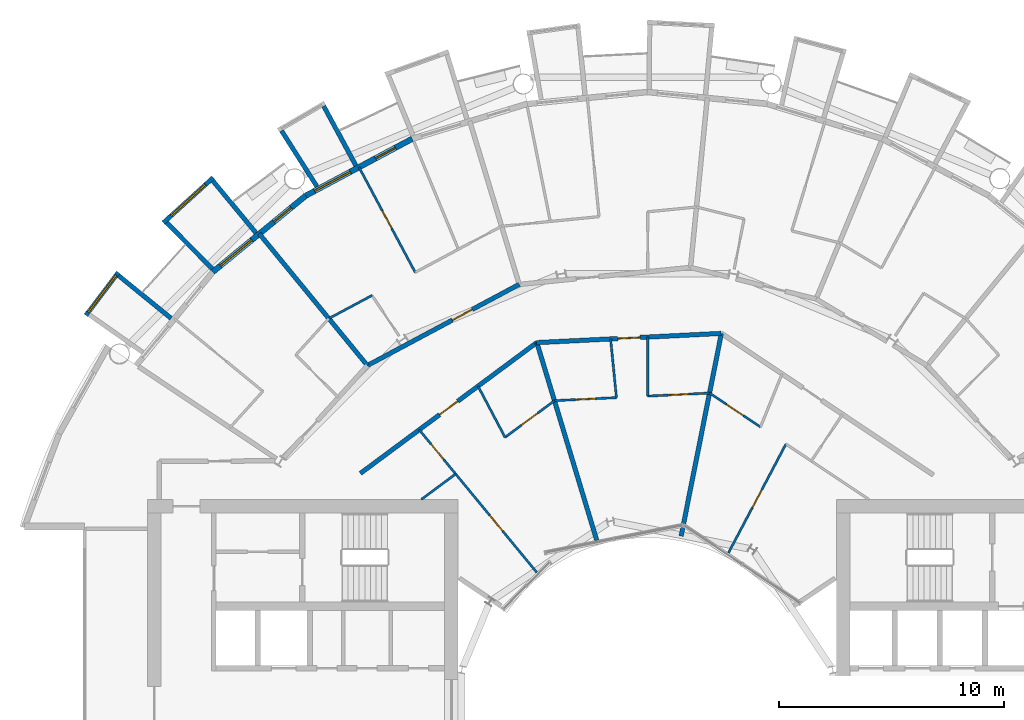
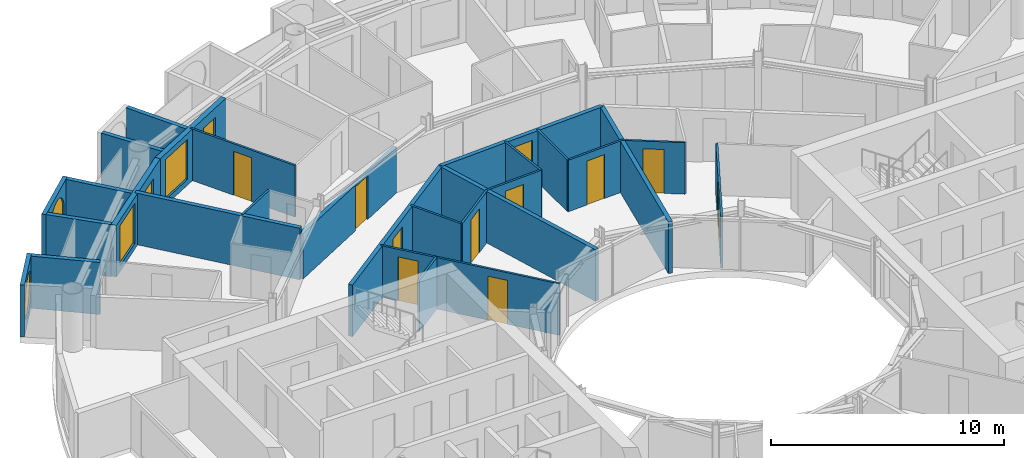
# One storey, part 20 of 27: 27 walls, 13 doors, 4 windows, 17 openings.
"""IFC4 building model written with IfcOpenShell, lengths in metres."""

from ifc_helpers import new_model, si_unit, direction, frame, frame_2d, origin, place, context, subcontext, project, spatial, rectangle, circle, extrude, material, layer, layer_set, type_object, element, fill, save


model = new_model("IFC4")

# Units and contexts
model_context = context("Model", 3, precision=1e-05, world=origin(), true_north=direction((0.0, 1.0)))
body_context = subcontext(model_context, "Body", "Model", "MODEL_VIEW")
ifc_project = project(units=[si_unit("LENGTHUNIT", "METRE"), si_unit("AREAUNIT", "SQUARE_METRE"), si_unit("VOLUMEUNIT", "CUBIC_METRE"), si_unit("PLANEANGLEUNIT", "RADIAN"), si_unit("MASSUNIT", "GRAM", prefix="KILO")], contexts=[model_context])

# Site, building, storey
site_placement = place(None, origin())
site = spatial("IfcSite", under=ifc_project, at=site_placement, CompositionType="ELEMENT")
building_placement = place(site_placement, origin())
building = spatial("IfcBuilding", under=site, at=building_placement, Name="Maasbend Ring Residences", CompositionType="ELEMENT")
storey_placement = place(building_placement, frame((0.0, 0.0, 126.89990234375)))
storey = spatial("IfcBuildingStorey", under=building, at=storey_placement, Name="L36", CompositionType="ELEMENT", Elevation=126.89990234375)

# Wall, opening, door
ifc_material_1 = material(Name="Concrete C30/37", Category="concrete")
ifc_layer_1 = layer(ifc_material_1, 0.199951171875)
ifc_layer_set_1 = layer_set([ifc_layer_1], Name="Concrete C30/37")
wall_type_1 = type_object("IfcWallType", Name="CORRIDOR WALL 200 CONCRETE", PredefinedType="PARTITIONING", material=ifc_layer_set_1)
wall_1_placement = place(storey_placement, frame((-12.7451171875, 10.35791015625, 0.0), z_axis=(0.0, 0.0, 1.0), x_axis=(0.803191461888, 0.595720971219, 0.0)))
wall_1 = element("IfcWall", 1, at=wall_1_placement, inside=storey, type_object=wall_type_1, Name="U-L36-w107", PredefinedType="PARTITIONING", context=body_context, shape_type="SweptSolid", body=[
    extrude(rectangle(XDim=9.760009765625, YDim=0.199951171875, at=frame_2d((4.8798828125, 0.0))), origin(), (0.0, 0.0, 1.0), 2.7001953125),
])
opening_1_placement = place(wall_1_placement, frame((4.3798828125, 0.0, 0.0)))
opening_1 = element("IfcOpeningElement", 2, at=opening_1_placement, cuts=wall_1, Name="Opening D-3628", PredefinedType="OPENING", context=body_context, shape_type="SweptSolid", body=[
    extrude(rectangle(XDim=1.0, YDim=2.300048828125, at=frame_2d((0.5, 1.14990234375))), frame((0.0, 0.10986328125, 0.0), z_axis=(0.0, -1.0, 0.0), x_axis=(1.0, 0.0, 0.0)), (0.0, 0.0, 1.0), 0.219970703125),
])
ifc_material_2 = material(Name="Timber, fire-rated, painted", Category="wood")
door_type_1 = type_object("IfcDoorType", Name="FLAT ENTRANCE DOOR 1000 X 2300 FIRE-RATED", OperationType="NOTDEFINED", PredefinedType="DOOR", material=ifc_material_2)
door_1_placement = place(opening_1_placement, origin())
door_1 = element("IfcDoor", 3, at=door_1_placement, inside=storey, type_object=door_type_1, Name="D-3628", OperationType="SINGLE_SWING_RIGHT", OverallHeight=2.300048828125, OverallWidth=1.0, PredefinedType="DOOR", context=body_context, shape_type="SweptSolid", body=[
    extrude(rectangle(XDim=1.0, YDim=2.300048828125, at=frame_2d((0.5, 1.14990234375))), frame((0.0, 0.02490234375, 0.0), z_axis=(0.0, -1.0, 0.0), x_axis=(1.0, 0.0, 0.0)), (0.0, 0.0, 1.0), 0.050048828125),
])
fill(opening_1, door_1)

wall_2_placement = place(storey_placement, frame((-4.9208984375, 16.1669921875, 0.0), z_axis=(0.0, 0.0, 1.0), x_axis=(0.998754043059, 0.049903521659, 0.0)))
wall_2 = element("IfcWall", 4, at=wall_2_placement, inside=storey, type_object=wall_type_1, Name="U-L36-w108", PredefinedType="PARTITIONING", context=body_context, shape_type="SweptSolid", body=[
    extrude(rectangle(XDim=8.214111328125, YDim=0.199951171875, at=frame_2d((4.10693359375, 0.0))), origin(), (0.0, 0.0, 1.0), 2.7001953125),
])
opening_2_placement = place(wall_2_placement, frame((3.614013671875, 0.0, 0.0)))
opening_2 = element("IfcOpeningElement", 5, at=opening_2_placement, cuts=wall_2, Name="Opening D-3625", PredefinedType="OPENING", context=body_context, shape_type="SweptSolid", body=[
    extrude(rectangle(XDim=1.0, YDim=2.300048828125, at=frame_2d((0.5, 1.14990234375))), frame((0.0, 0.10986328125, 0.0), z_axis=(0.0, -1.0, 0.0), x_axis=(1.0, 0.0, 0.0)), (0.0, 0.0, 1.0), 0.219970703125),
])
door_2_placement = place(opening_2_placement, origin())
door_2 = element("IfcDoor", 6, at=door_2_placement, inside=storey, type_object=door_type_1, Name="D-3625", OperationType="SINGLE_SWING_RIGHT", OverallHeight=2.300048828125, OverallWidth=1.0, PredefinedType="DOOR", context=body_context, shape_type="SweptSolid", body=[
    extrude(rectangle(XDim=1.0, YDim=2.300048828125, at=frame_2d((0.5, 1.14990234375))), frame((0.0, 0.02490234375, 0.0), z_axis=(0.0, -1.0, 0.0), x_axis=(1.0, 0.0, 0.0)), (0.0, 0.0, 1.0), 0.050048828125),
])
fill(opening_2, door_2)

wall_3_placement = place(storey_placement, frame((-12.43408203125, 15.15087890625, 0.0), z_axis=(0.0, 0.0, 1.0), x_axis=(0.8819312112, 0.471378127104, 0.0)))
wall_3 = element("IfcWall", 7, at=wall_3_placement, inside=storey, type_object=wall_type_1, Name="U-L36-w109", PredefinedType="PARTITIONING", context=body_context, shape_type="SweptSolid", body=[
    extrude(rectangle(XDim=7.650390625, YDim=0.199951171875, at=frame_2d((3.8251953125, 0.0))), origin(), (0.0, 0.0, 1.0), 2.39013671875),
])
opening_3_placement = place(wall_3_placement, frame((4.279052734375, 0.0, 0.0)))
opening_3 = element("IfcOpeningElement", 8, at=opening_3_placement, cuts=wall_3, Name="Opening D-3614", PredefinedType="OPENING", context=body_context, shape_type="SweptSolid", body=[
    extrude(rectangle(XDim=1.0, YDim=2.300048828125, at=frame_2d((0.5, 1.14990234375))), frame((0.0, 0.10986328125, 0.0), z_axis=(0.0, -1.0, 0.0), x_axis=(1.0, 0.0, 0.0)), (0.0, 0.0, 1.0), 0.219970703125),
])
door_3_placement = place(opening_3_placement, origin())
door_3 = element("IfcDoor", 9, at=door_3_placement, inside=storey, type_object=door_type_1, Name="D-3614", OperationType="SINGLE_SWING_RIGHT", OverallHeight=2.300048828125, OverallWidth=1.0, PredefinedType="DOOR", context=body_context, shape_type="SweptSolid", body=[
    extrude(rectangle(XDim=1.0, YDim=2.300048828125, at=frame_2d((0.5, 1.14990234375))), frame((0.0, 0.02490234375, 0.0), z_axis=(0.0, -1.0, 0.0), x_axis=(1.0, 0.0, 0.0)), (0.0, 0.0, 1.0), 0.050048828125),
])
fill(opening_3, door_3)

# Walls
ifc_material_3 = material(Name="Pale anodised aluminium panel", Category="aluminium")
ifc_layer_2 = layer(ifc_material_3, 0.199951171875)
ifc_layer_set_2 = layer_set([ifc_layer_2], Name="EW-BOX")
wall_type_2 = type_object("IfcWallType", Name="EW-BOX", PredefinedType="SOLIDWALL", material=ifc_layer_set_2)
wall_4_placement = place(storey_placement, frame((-12.945068359375, 24.029052734375, -0.02978515625), z_axis=(0.0, 0.0, 1.0), x_axis=(-0.474424310775, 0.88029629861, 0.0)))
element("IfcWall", 10, at=wall_4_placement, inside=storey, type_object=wall_type_2, Name="Box side wall N16 left", PredefinedType="SOLIDWALL", context=body_context, shape_type="SweptSolid", body=[
    extrude(rectangle(XDim=3.005859375, YDim=0.199951171875, at=frame_2d((1.5029296875, 0.0))), origin(), (0.0, 0.0, 1.0), 2.72998046875),
])
wall_5_placement = place(storey_placement, frame((-14.677978515625, 23.10205078125, -0.02978515625), z_axis=(0.0, 0.0, 1.0), x_axis=(-0.536001536573, 0.844217005746, 0.0)))
element("IfcWall", 11, at=wall_5_placement, inside=storey, type_object=wall_type_2, Name="Box side wall N16 right", PredefinedType="SOLIDWALL", context=body_context, shape_type="SweptSolid", body=[
    extrude(rectangle(XDim=2.92919921875, YDim=0.199951171875, at=frame_2d((1.464599609375, 0.0))), origin(), (0.0, 0.0, 1.0), 2.72998046875),
])

# Wall, opening, window
wall_6_placement = place(storey_placement, frame((-19.281982421875, 23.5029296875, -0.02978515625), z_axis=(0.0, 0.0, 1.0), x_axis=(-0.740998365753, -0.671506829416, 0.0)))
wall_6 = element("IfcWall", 12, at=wall_6_placement, inside=storey, type_object=wall_type_2, Name="Box front N18", PredefinedType="SOLIDWALL", context=body_context, shape_type="SweptSolid", body=[
    extrude(rectangle(XDim=2.9931640625, YDim=0.199951171875, at=frame_2d((1.49658203125, 0.0))), origin(), (0.0, 0.0, 1.0), 2.72998046875),
])
opening_4_placement = place(wall_6_placement, frame((0.45654296875, 0.0, 0.330078125)))
opening_4 = element("IfcOpeningElement", 13, at=opening_4_placement, cuts=wall_6, Name="Opening W-RD", PredefinedType="OPENING", context=body_context, shape_type="SweptSolid", body=[
    extrude(circle(Radius=1.0400390625, at=frame_2d((1.0400390625, 1.0400390625))), frame((0.0, 0.10986328125, 0.0), z_axis=(0.0, -1.0, 0.0), x_axis=(1.0, 0.0, 0.0)), (0.0, 0.0, 1.0), 0.219970703125),
])
ifc_material_4 = material(Name="Aluminium and clear glass", Category="aluminium")
window_type_1 = type_object("IfcWindowType", Name="W-RD", PartitioningType="SINGLE_PANEL", PredefinedType="WINDOW", material=ifc_material_4)
window_1_placement = place(opening_4_placement, origin())
window_1 = element("IfcWindow", 14, at=window_1_placement, inside=storey, type_object=window_type_1, Name="Round window N18", OverallHeight=2.080078125, OverallWidth=2.080078125, PartitioningType="SINGLE_PANEL", PredefinedType="WINDOW", context=body_context, shape_type="SweptSolid", body=[
    extrude(circle(Radius=1.0400390625, at=frame_2d((1.0400390625, 1.0400390625))), frame((0.0, 0.030029296875, 0.0), z_axis=(0.0, -1.0, 0.0), x_axis=(1.0, 0.0, 0.0)), (0.0, 0.0, 1.0), 0.06005859375),
])
fill(opening_4, window_1)

# Walls
wall_7_placement = place(storey_placement, frame((-17.384033203125, 21.041015625, -0.02978515625), z_axis=(0.0, 0.0, 1.0), x_axis=(-0.63709551667, 0.770784861449, 0.0)))
element("IfcWall", 15, at=wall_7_placement, inside=storey, type_object=wall_type_2, Name="Box side wall N18 left", PredefinedType="SOLIDWALL", context=body_context, shape_type="SweptSolid", body=[
    extrude(rectangle(XDim=3.005859375, YDim=0.199951171875, at=frame_2d((1.5029296875, 0.0))), origin(), (0.0, 0.0, 1.0), 2.72998046875),
])
wall_8_placement = place(storey_placement, frame((-19.322998046875, 19.449951171875, -0.02978515625), z_axis=(0.0, 0.0, 1.0), x_axis=(-0.704476739375, 0.709727076896, 0.0)))
element("IfcWall", 16, at=wall_8_placement, inside=storey, type_object=wall_type_2, Name="Box side wall N18 right", PredefinedType="SOLIDWALL", context=body_context, shape_type="SweptSolid", body=[
    extrude(rectangle(XDim=2.883056640625, YDim=0.199951171875, at=frame_2d((1.44140625, 0.0))), origin(), (0.0, 0.0, 1.0), 2.72998046875),
])

# Wall, opening, window
wall_9_placement = place(storey_placement, frame((-23.4970703125, 19.2890625, -0.02978515625), z_axis=(0.0, 0.0, 1.0), x_axis=(-0.603375996329, -0.797456837111, 0.0)))
wall_9 = element("IfcWall", 17, at=wall_9_placement, inside=storey, type_object=wall_type_2, Name="Box front N20", PredefinedType="SOLIDWALL", context=body_context, shape_type="SweptSolid", body=[
    extrude(rectangle(XDim=2.391357421875, YDim=0.199951171875, at=frame_2d((1.19580078125, 0.0))), origin(), (0.0, 0.0, 1.0), 2.72998046875),
])
opening_5_placement = place(wall_9_placement, frame((0.15576171875, 0.0, 0.330078125)))
opening_5 = element("IfcOpeningElement", 18, at=opening_5_placement, cuts=wall_9, Name="Opening W-RD", PredefinedType="OPENING", context=body_context, shape_type="SweptSolid", body=[
    extrude(circle(Radius=1.0400390625, at=frame_2d((1.0400390625, 1.0400390625))), frame((0.0, 0.10986328125, 0.0), z_axis=(0.0, -1.0, 0.0), x_axis=(1.0, 0.0, 0.0)), (0.0, 0.0, 1.0), 0.219970703125),
])
window_2_placement = place(opening_5_placement, origin())
window_2 = element("IfcWindow", 19, at=window_2_placement, inside=storey, type_object=window_type_1, Name="Round window N20", OverallHeight=2.080078125, OverallWidth=2.080078125, PartitioningType="SINGLE_PANEL", PredefinedType="WINDOW", context=body_context, shape_type="SweptSolid", body=[
    extrude(circle(Radius=1.0400390625, at=frame_2d((1.0400390625, 1.0400390625))), frame((0.0, 0.030029296875, 0.0), z_axis=(0.0, -1.0, 0.0), x_axis=(1.0, 0.0, 0.0)), (0.0, 0.0, 1.0), 0.06005859375),
])
fill(opening_5, window_2)

# Wall
wall_10_placement = place(storey_placement, frame((-21.155029296875, 17.24609375, -0.02978515625), z_axis=(0.0, 0.0, 1.0), x_axis=(-0.775179004516, 0.631741648902, 0.0)))
element("IfcWall", 20, at=wall_10_placement, inside=storey, type_object=wall_type_2, Name="Box side wall N20 left", PredefinedType="SOLIDWALL", context=body_context, shape_type="SweptSolid", body=[
    extrude(rectangle(XDim=3.005859375, YDim=0.199951171875, at=frame_2d((1.5029296875, 0.0))), origin(), (0.0, 0.0, 1.0), 2.72998046875),
])

# Wall, openings, door, window
ifc_material_5 = material(Name="Aluminium clad insulated panel", Category="aluminium")
ifc_layer_3 = layer(ifc_material_5, 0.25)
ifc_layer_set_3 = layer_set([ifc_layer_3], Name="EW-GL")
wall_type_3 = type_object("IfcWallType", Name="EW-GL", PredefinedType="SOLIDWALL", material=ifc_layer_set_3)
wall_11_placement = place(storey_placement, frame((-10.447021484375, 25.221923828125, 0.0), z_axis=(0.0, 0.0, 1.0), x_axis=(-0.881915646801, -0.471407246368, 0.0)))
wall_11 = element("IfcWall", 21, at=wall_11_placement, inside=storey, type_object=wall_type_3, Name="External wall N08", PredefinedType="SOLIDWALL", context=body_context, shape_type="SweptSolid", body=[
    extrude(rectangle(XDim=5.35205078125, YDim=0.25, at=frame_2d((2.676025390625, 0.0))), origin(), (0.0, 0.0, 1.0), 2.7001953125),
])
opening_6_placement = place(wall_11_placement, frame((0.841064453125, 0.0, 0.0)))
opening_6 = element("IfcOpeningElement", 22, at=opening_6_placement, cuts=wall_11, Name="Opening D-LG", PredefinedType="OPENING", context=body_context, shape_type="SweptSolid", body=[
    extrude(rectangle(XDim=1.0, YDim=2.199951171875, at=frame_2d((0.5, 1.10009765625))), frame((0.0, 0.135009765625, 0.0), z_axis=(0.0, -1.0, 0.0), x_axis=(1.0, 0.0, 0.0)), (0.0, 0.0, 1.0), 0.27001953125),
])
opening_7_placement = place(wall_11_placement, frame((3.110595703125, 0.0, 0.300048828125)))
opening_7 = element("IfcOpeningElement", 23, at=opening_7_placement, cuts=wall_11, Name="Opening W-BX", PredefinedType="OPENING", context=body_context, shape_type="SweptSolid", body=[
    extrude(rectangle(XDim=1.800048828125, YDim=2.10009765625, at=frame_2d((0.89990234375, 1.050048828125))), frame((0.0, 0.135009765625, 0.0), z_axis=(0.0, -1.0, 0.0), x_axis=(1.0, 0.0, 0.0)), (0.0, 0.0, 1.0), 0.27001953125),
])
ifc_material_6 = material(Name="Aluminium and clear glass", Category="aluminium")
door_type_2 = type_object("IfcDoorType", Name="D-LG", OperationType="SINGLE_SWING_LEFT", PredefinedType="DOOR", material=ifc_material_6)
door_4_placement = place(opening_6_placement, origin())
door_4 = element("IfcDoor", 24, at=door_4_placement, inside=storey, type_object=door_type_2, Name="Loggia door N15", OperationType="SINGLE_SWING_LEFT", OverallHeight=2.199951171875, OverallWidth=1.0, PredefinedType="DOOR", context=body_context, shape_type="SweptSolid", body=[
    extrude(rectangle(XDim=1.0, YDim=2.199951171875, at=frame_2d((0.5, 1.10009765625))), frame((0.0, 0.02490234375, 0.0), z_axis=(0.0, -1.0, 0.0), x_axis=(1.0, 0.0, 0.0)), (0.0, 0.0, 1.0), 0.050048828125),
])
fill(opening_6, door_4)
ifc_material_7 = material(Name="Aluminium and clear glass", Category="aluminium")
window_type_2 = type_object("IfcWindowType", Name="W-BX", PartitioningType="DOUBLE_PANEL_VERTICAL", PredefinedType="WINDOW", material=ifc_material_7)
window_3_placement = place(opening_7_placement, origin())
window_3 = element("IfcWindow", 25, at=window_3_placement, inside=storey, type_object=window_type_2, Name="Window N16 room to box", OverallHeight=2.10009765625, OverallWidth=1.800048828125, PartitioningType="SINGLE_PANEL", PredefinedType="WINDOW", context=body_context, shape_type="SweptSolid", body=[
    extrude(rectangle(XDim=1.800048828125, YDim=2.10009765625, at=frame_2d((0.89990234375, 1.050048828125))), frame((0.0, 0.030029296875, 0.0), z_axis=(0.0, -1.0, 0.0), x_axis=(1.0, 0.0, 0.0)), (0.0, 0.0, 1.0), 0.06005859375),
])
fill(opening_7, window_3)

wall_12_placement = place(storey_placement, frame((-15.1669921875, 22.698974609375, 0.0), z_axis=(0.0, 0.0, 1.0), x_axis=(-0.773019449054, -0.634382322723, 0.0)))
wall_12 = element("IfcWall", 26, at=wall_12_placement, inside=storey, type_object=wall_type_3, Name="External wall N09", PredefinedType="SOLIDWALL", context=body_context, shape_type="SweptSolid", body=[
    extrude(rectangle(XDim=5.351806640625, YDim=0.25, at=frame_2d((2.67578125, 0.0))), origin(), (0.0, 0.0, 1.0), 2.7001953125),
])
opening_8_placement = place(wall_12_placement, frame((0.841064453125, 0.0, 0.0)))
opening_8 = element("IfcOpeningElement", 27, at=opening_8_placement, cuts=wall_12, Name="Opening D-LG", PredefinedType="OPENING", context=body_context, shape_type="SweptSolid", body=[
    extrude(rectangle(XDim=1.0, YDim=2.199951171875, at=frame_2d((0.5, 1.10009765625))), frame((0.0, 0.135009765625, 0.0), z_axis=(0.0, -1.0, 0.0), x_axis=(1.0, 0.0, 0.0)), (0.0, 0.0, 1.0), 0.27001953125),
])
opening_9_placement = place(wall_12_placement, frame((3.110595703125, 0.0, 0.300048828125)))
opening_9 = element("IfcOpeningElement", 28, at=opening_9_placement, cuts=wall_12, Name="Opening W-BX", PredefinedType="OPENING", context=body_context, shape_type="SweptSolid", body=[
    extrude(rectangle(XDim=1.800048828125, YDim=2.10009765625, at=frame_2d((0.89990234375, 1.050048828125))), frame((0.0, 0.135009765625, 0.0), z_axis=(0.0, -1.0, 0.0), x_axis=(1.0, 0.0, 0.0)), (0.0, 0.0, 1.0), 0.27001953125),
])
door_5_placement = place(opening_8_placement, origin())
door_5 = element("IfcDoor", 29, at=door_5_placement, inside=storey, type_object=door_type_2, Name="Loggia door N17", OperationType="SINGLE_SWING_LEFT", OverallHeight=2.199951171875, OverallWidth=1.0, PredefinedType="DOOR", context=body_context, shape_type="SweptSolid", body=[
    extrude(rectangle(XDim=1.0, YDim=2.199951171875, at=frame_2d((0.5, 1.10009765625))), frame((0.0, 0.02490234375, 0.0), z_axis=(0.0, -1.0, 0.0), x_axis=(1.0, 0.0, 0.0)), (0.0, 0.0, 1.0), 0.050048828125),
])
fill(opening_8, door_5)
window_4_placement = place(opening_9_placement, origin())
window_4 = element("IfcWindow", 30, at=window_4_placement, inside=storey, type_object=window_type_2, Name="Window N18 room to box", OverallHeight=2.10009765625, OverallWidth=1.800048828125, PartitioningType="SINGLE_PANEL", PredefinedType="WINDOW", context=body_context, shape_type="SweptSolid", body=[
    extrude(rectangle(XDim=1.800048828125, YDim=2.10009765625, at=frame_2d((0.89990234375, 1.050048828125))), frame((0.0, 0.030029296875, 0.0), z_axis=(0.0, -1.0, 0.0), x_axis=(1.0, 0.0, 0.0)), (0.0, 0.0, 1.0), 0.06005859375),
])
fill(opening_9, window_4)

# Wall, opening, door
ifc_material_8 = material(Name="Gypsum board on steel studs", Category="steel")
ifc_layer_4 = layer(ifc_material_8, 0.10009765625)
ifc_layer_set_4 = layer_set([ifc_layer_4], Name="PARTITION 100 GYPSUM")
wall_type_4 = type_object("IfcWallType", Name="PARTITION 100 GYPSUM", PredefinedType="PARTITIONING", material=ifc_layer_set_4)
wall_13_placement = place(storey_placement, frame((-12.81005859375, 23.966064453125, 0.0), z_axis=(0.0, 0.0, 1.0), x_axis=(0.47140999111, -0.881914179658, 0.0)))
wall_13 = element("IfcWall", 31, at=wall_13_placement, inside=storey, type_object=wall_type_4, Name="U-L36-w047", PredefinedType="PARTITIONING", context=body_context, shape_type="SweptSolid", body=[
    extrude(rectangle(XDim=5.30322265625, YDim=0.10009765625, at=frame_2d((2.651611328125, 0.0))), origin(), (0.0, 0.0, 1.0), 2.7001953125),
])
opening_10_placement = place(wall_13_placement, frame((2.201904296875, 0.0, 0.0)))
opening_10 = element("IfcOpeningElement", 32, at=opening_10_placement, cuts=wall_13, Name="Opening D-3616", PredefinedType="OPENING", context=body_context, shape_type="SweptSolid", body=[
    extrude(rectangle(XDim=0.89990234375, YDim=2.300048828125, at=frame_2d((0.449951171875, 1.14990234375))), frame((0.0, 0.06005859375, 0.0), z_axis=(0.0, -1.0, 0.0), x_axis=(1.0, 0.0, 0.0)), (0.0, 0.0, 1.0), 0.1201171875),
])
ifc_material_9 = material(Name="Timber, painted", Category="wood")
door_type_3 = type_object("IfcDoorType", Name="INTERNAL DOOR 900 X 2300", OperationType="NOTDEFINED", PredefinedType="DOOR", material=ifc_material_9)
door_6_placement = place(opening_10_placement, origin())
door_6 = element("IfcDoor", 33, at=door_6_placement, inside=storey, type_object=door_type_3, Name="D-3616", OperationType="SINGLE_SWING_RIGHT", OverallHeight=2.300048828125, OverallWidth=0.89990234375, PredefinedType="DOOR", context=body_context, shape_type="SweptSolid", body=[
    extrude(rectangle(XDim=0.89990234375, YDim=2.300048828125, at=frame_2d((0.449951171875, 1.14990234375))), frame((0.0, 0.02490234375, 0.0), z_axis=(0.0, -1.0, 0.0), x_axis=(1.0, 0.0, 0.0)), (0.0, 0.0, 1.0), 0.050048828125),
])
fill(opening_10, door_6)

# Wall, openings, doors
wall_14_placement = place(storey_placement, frame((-10.132080078125, 12.2958984375, 0.0), z_axis=(0.0, 0.0, 1.0), x_axis=(0.635976043025, -0.771708800454, 0.0)))
wall_14 = element("IfcWall", 34, at=wall_14_placement, inside=storey, type_object=wall_type_4, Name="U-L36-w052", PredefinedType="PARTITIONING", context=body_context, shape_type="SweptSolid", body=[
    extrude(rectangle(XDim=8.212890625, YDim=0.10009765625, at=frame_2d((4.1064453125, 0.0))), origin(), (0.0, 0.0, 1.0), 2.7001953125),
])
opening_11_placement = place(wall_14_placement, frame((0.822998046875, 0.0, 0.0)))
opening_11 = element("IfcOpeningElement", 35, at=opening_11_placement, cuts=wall_14, Name="Opening D-3630", PredefinedType="OPENING", context=body_context, shape_type="SweptSolid", body=[
    extrude(rectangle(XDim=0.89990234375, YDim=2.300048828125, at=frame_2d((0.449951171875, 1.14990234375))), frame((0.0, 0.06005859375, 0.0), z_axis=(0.0, -1.0, 0.0), x_axis=(1.0, 0.0, 0.0)), (0.0, 0.0, 1.0), 0.1201171875),
])
opening_12_placement = place(wall_14_placement, frame((4.928955078125, 0.0, 0.0)))
opening_12 = element("IfcOpeningElement", 36, at=opening_12_placement, cuts=wall_14, Name="Opening D-3631", PredefinedType="OPENING", context=body_context, shape_type="SweptSolid", body=[
    extrude(rectangle(XDim=0.89990234375, YDim=2.300048828125, at=frame_2d((0.449951171875, 1.14990234375))), frame((0.0, 0.06005859375, 0.0), z_axis=(0.0, -1.0, 0.0), x_axis=(1.0, 0.0, 0.0)), (0.0, 0.0, 1.0), 0.1201171875),
])
door_7_placement = place(opening_11_placement, origin())
door_7 = element("IfcDoor", 37, at=door_7_placement, inside=storey, type_object=door_type_3, Name="D-3630", OperationType="SINGLE_SWING_LEFT", OverallHeight=2.300048828125, OverallWidth=0.89990234375, PredefinedType="DOOR", context=body_context, shape_type="SweptSolid", body=[
    extrude(rectangle(XDim=0.89990234375, YDim=2.300048828125, at=frame_2d((0.449951171875, 1.14990234375))), frame((0.0, 0.02490234375, 0.0), z_axis=(0.0, -1.0, 0.0), x_axis=(1.0, 0.0, 0.0)), (0.0, 0.0, 1.0), 0.050048828125),
])
fill(opening_11, door_7)
door_8_placement = place(opening_12_placement, origin())
door_8 = element("IfcDoor", 38, at=door_8_placement, inside=storey, type_object=door_type_3, Name="D-3631", OperationType="SINGLE_SWING_RIGHT", OverallHeight=2.300048828125, OverallWidth=0.89990234375, PredefinedType="DOOR", context=body_context, shape_type="SweptSolid", body=[
    extrude(rectangle(XDim=0.89990234375, YDim=2.300048828125, at=frame_2d((0.449951171875, 1.14990234375))), frame((0.0, 0.02490234375, 0.0), z_axis=(0.0, -1.0, 0.0), x_axis=(1.0, 0.0, 0.0)), (0.0, 0.0, 1.0), 0.050048828125),
])
fill(opening_12, door_8)

# Walls
wall_15_placement = place(storey_placement, frame((-7.51904296875, 14.23388671875, 0.0), z_axis=(0.0, 0.0, 1.0), x_axis=(0.467001992543, -0.884256263173, 0.0)))
element("IfcWall", 39, at=wall_15_placement, inside=storey, type_object=wall_type_4, Name="U-L36-w055", PredefinedType="PARTITIONING", context=body_context, shape_type="SweptSolid", body=[
    extrude(rectangle(XDim=2.571533203125, YDim=0.10009765625, at=frame_2d((1.28564453125, 0.0))), origin(), (0.0, 0.0, 1.0), 2.7001953125),
])
for number, where, z_axis, x_axis, name in (
    (40, (-1.6298828125, 16.33203125, 0.0), (0.0, 0.0, 1.0), (0.099070419396, -0.995080424891, 0.0), "U-L36-w063"),
    (41, (0.01904296875, 13.7919921875, 0.0), (0.0, 0.0, 1.0), (0.001117317738, 0.9999993758, 0.0), "U-L36-w067"),
):
    element("IfcWall", number, at=place(storey_placement, frame(where, z_axis=z_axis, x_axis=x_axis)), inside=storey, type_object=wall_type_4, Name=name, PredefinedType="PARTITIONING", context=body_context, shape_type="SweptSolid", body=[
        extrude(rectangle(XDim=2.6220703125, YDim=0.10009765625, at=frame_2d((1.31103515625, 0.0))), origin(), (0.0, 0.0, 1.0), 2.7001953125),
    ])

# Wall, opening, door
wall_16_placement = place(storey_placement, frame((3.60595703125, 6.826904296875, 0.0), z_axis=(0.0, 0.0, 1.0), x_axis=(0.466976820365, 0.884269556889, 0.0)))
wall_16 = element("IfcWall", 42, at=wall_16_placement, inside=storey, type_object=wall_type_4, Name="U-L36-w073", PredefinedType="PARTITIONING", context=body_context, shape_type="SweptSolid", body=[
    extrude(rectangle(XDim=5.46923828125, YDim=0.10009765625, at=frame_2d((2.734619140625, 0.0))), origin(), (0.0, 0.0, 1.0), 2.7001953125),
])
opening_13_placement = place(wall_16_placement, frame((2.283935546875, 0.0, 0.0)))
opening_13 = element("IfcOpeningElement", 43, at=opening_13_placement, cuts=wall_16, Name="Opening D-3624", PredefinedType="OPENING", context=body_context, shape_type="SweptSolid", body=[
    extrude(rectangle(XDim=0.89990234375, YDim=2.300048828125, at=frame_2d((0.449951171875, 1.14990234375))), frame((0.0, 0.06005859375, 0.0), z_axis=(0.0, -1.0, 0.0), x_axis=(1.0, 0.0, 0.0)), (0.0, 0.0, 1.0), 0.1201171875),
])
door_9_placement = place(opening_13_placement, origin())
door_9 = element("IfcDoor", 44, at=door_9_placement, inside=storey, type_object=door_type_3, Name="D-3624", OperationType="SINGLE_SWING_LEFT", OverallHeight=2.300048828125, OverallWidth=0.89990234375, PredefinedType="DOOR", context=body_context, shape_type="SweptSolid", body=[
    extrude(rectangle(XDim=0.89990234375, YDim=2.300048828125, at=frame_2d((0.449951171875, 1.14990234375))), frame((0.0, 0.02490234375, 0.0), z_axis=(0.0, -1.0, 0.0), x_axis=(1.0, 0.0, 0.0)), (0.0, 0.0, 1.0), 0.050048828125),
])
fill(opening_13, door_9)

wall_17_placement = place(storey_placement, frame((2.77099609375, 13.926025390625, 0.0), z_axis=(0.0, 0.0, 1.0), x_axis=(0.831538390496, -0.555467285384, 0.0)))
wall_17 = element("IfcWall", 45, at=wall_17_placement, inside=storey, type_object=wall_type_4, Name="U-L36-w100", PredefinedType="PARTITIONING", context=body_context, shape_type="SweptSolid", body=[
    extrude(rectangle(XDim=2.716796875, YDim=0.10009765625, at=frame_2d((1.3583984375, 0.0))), origin(), (0.0, 0.0, 1.0), 2.7001953125),
])
opening_14_placement = place(wall_17_placement, frame((0.906982421875, 0.0, 0.0)))
opening_14 = element("IfcOpeningElement", 46, at=opening_14_placement, cuts=wall_17, Name="Opening D-3622", PredefinedType="OPENING", context=body_context, shape_type="SweptSolid", body=[
    extrude(rectangle(XDim=0.89990234375, YDim=2.300048828125, at=frame_2d((0.449951171875, 1.14990234375))), frame((0.0, 0.06005859375, 0.0), z_axis=(0.0, -1.0, 0.0), x_axis=(1.0, 0.0, 0.0)), (0.0, 0.0, 1.0), 0.1201171875),
])
door_10_placement = place(opening_14_placement, origin())
door_10 = element("IfcDoor", 47, at=door_10_placement, inside=storey, type_object=door_type_3, Name="D-3622", OperationType="SINGLE_SWING_LEFT", OverallHeight=2.300048828125, OverallWidth=0.89990234375, PredefinedType="DOOR", context=body_context, shape_type="SweptSolid", body=[
    extrude(rectangle(XDim=0.89990234375, YDim=2.300048828125, at=frame_2d((0.449951171875, 1.14990234375))), frame((0.0, 0.02490234375, 0.0), z_axis=(0.0, -1.0, 0.0), x_axis=(1.0, 0.0, 0.0)), (0.0, 0.0, 1.0), 0.050048828125),
])
fill(opening_14, door_10)

# Wall
wall_18_placement = place(storey_placement, frame((-10.0390625, 9.199951171875, 0.0), z_axis=(0.0, 0.0, 1.0), x_axis=(0.803149591038, 0.595777420196, 0.0)))
element("IfcWall", 48, at=wall_18_placement, inside=storey, type_object=wall_type_4, Name="U-L36-w102", PredefinedType="PARTITIONING", context=body_context, shape_type="SweptSolid", body=[
    extrude(rectangle(XDim=1.900146484375, YDim=0.10009765625, at=frame_2d((0.9501953125, 0.0))), origin(), (0.0, 0.0, 1.0), 2.7001953125),
])

# Wall, opening, door
wall_19_placement = place(storey_placement, frame((-6.318115234375, 11.9599609375, 0.0), z_axis=(0.0, 0.0, 1.0), x_axis=(0.803128348509, 0.595806055542, 0.0)))
wall_19 = element("IfcWall", 49, at=wall_19_placement, inside=storey, type_object=wall_type_4, Name="U-L36-w103", PredefinedType="PARTITIONING", context=body_context, shape_type="SweptSolid", body=[
    extrude(rectangle(XDim=2.734375, YDim=0.10009765625, at=frame_2d((1.3671875, 0.0))), origin(), (0.0, 0.0, 1.0), 2.7001953125),
])
opening_15_placement = place(wall_19_placement, frame((0.9169921875, 0.0, 0.0)))
opening_15 = element("IfcOpeningElement", 50, at=opening_15_placement, cuts=wall_19, Name="Opening D-3629", PredefinedType="OPENING", context=body_context, shape_type="SweptSolid", body=[
    extrude(rectangle(XDim=0.89990234375, YDim=2.300048828125, at=frame_2d((0.449951171875, 1.14990234375))), frame((0.0, 0.06005859375, 0.0), z_axis=(0.0, -1.0, 0.0), x_axis=(1.0, 0.0, 0.0)), (0.0, 0.0, 1.0), 0.1201171875),
])
door_11_placement = place(opening_15_placement, origin())
door_11 = element("IfcDoor", 51, at=door_11_placement, inside=storey, type_object=door_type_3, Name="D-3629", OperationType="SINGLE_SWING_RIGHT", OverallHeight=2.300048828125, OverallWidth=0.89990234375, PredefinedType="DOOR", context=body_context, shape_type="SweptSolid", body=[
    extrude(rectangle(XDim=0.89990234375, YDim=2.300048828125, at=frame_2d((0.449951171875, 1.14990234375))), frame((0.0, 0.02490234375, 0.0), z_axis=(0.0, -1.0, 0.0), x_axis=(1.0, 0.0, 0.0)), (0.0, 0.0, 1.0), 0.050048828125),
])
fill(opening_15, door_11)

wall_20_placement = place(storey_placement, frame((-4.1220703125, 13.589111328125, 0.0), z_axis=(0.0, 0.0, 1.0), x_axis=(0.99880320044, 0.048909782152, 0.0)))
wall_20 = element("IfcWall", 52, at=wall_20_placement, inside=storey, type_object=wall_type_4, Name="U-L36-w104", PredefinedType="PARTITIONING", context=body_context, shape_type="SweptSolid", body=[
    extrude(rectangle(XDim=2.760498046875, YDim=0.10009765625, at=frame_2d((1.38037109375, 0.0))), origin(), (0.0, 0.0, 1.0), 2.7001953125),
])
opening_16_placement = place(wall_20_placement, frame((0.929931640625, 0.0, 0.0)))
opening_16 = element("IfcOpeningElement", 53, at=opening_16_placement, cuts=wall_20, Name="Opening D-3627", PredefinedType="OPENING", context=body_context, shape_type="SweptSolid", body=[
    extrude(rectangle(XDim=0.89990234375, YDim=2.300048828125, at=frame_2d((0.449951171875, 1.14990234375))), frame((0.0, 0.06005859375, 0.0), z_axis=(0.0, -1.0, 0.0), x_axis=(1.0, 0.0, 0.0)), (0.0, 0.0, 1.0), 0.1201171875),
])
door_12_placement = place(opening_16_placement, origin())
door_12 = element("IfcDoor", 54, at=door_12_placement, inside=storey, type_object=door_type_3, Name="D-3627", OperationType="SINGLE_SWING_LEFT", OverallHeight=2.300048828125, OverallWidth=0.89990234375, PredefinedType="DOOR", context=body_context, shape_type="SweptSolid", body=[
    extrude(rectangle(XDim=0.89990234375, YDim=2.300048828125, at=frame_2d((0.449951171875, 1.14990234375))), frame((0.0, 0.02490234375, 0.0), z_axis=(0.0, -1.0, 0.0), x_axis=(1.0, 0.0, 0.0)), (0.0, 0.0, 1.0), 0.050048828125),
])
fill(opening_16, door_12)

wall_21_placement = place(storey_placement, frame((0.012939453125, 13.791015625, 0.0), z_axis=(0.0, 0.0, 1.0), x_axis=(0.99880320044, 0.048909782152, 0.0)))
wall_21 = element("IfcWall", 55, at=wall_21_placement, inside=storey, type_object=wall_type_4, Name="U-L36-w105", PredefinedType="PARTITIONING", context=body_context, shape_type="SweptSolid", body=[
    extrude(rectangle(XDim=2.760498046875, YDim=0.10009765625, at=frame_2d((1.38037109375, 0.0))), origin(), (0.0, 0.0, 1.0), 2.7001953125),
])
opening_17_placement = place(wall_21_placement, frame((0.929931640625, 0.0, 0.0)))
opening_17 = element("IfcOpeningElement", 56, at=opening_17_placement, cuts=wall_21, Name="Opening D-3626", PredefinedType="OPENING", context=body_context, shape_type="SweptSolid", body=[
    extrude(rectangle(XDim=0.89990234375, YDim=2.300048828125, at=frame_2d((0.449951171875, 1.14990234375))), frame((0.0, 0.06005859375, 0.0), z_axis=(0.0, -1.0, 0.0), x_axis=(1.0, 0.0, 0.0)), (0.0, 0.0, 1.0), 0.1201171875),
])
door_13_placement = place(opening_17_placement, origin())
door_13 = element("IfcDoor", 57, at=door_13_placement, inside=storey, type_object=door_type_3, Name="D-3626", OperationType="SINGLE_SWING_RIGHT", OverallHeight=2.300048828125, OverallWidth=0.89990234375, PredefinedType="DOOR", context=body_context, shape_type="SweptSolid", body=[
    extrude(rectangle(XDim=0.89990234375, YDim=2.300048828125, at=frame_2d((0.449951171875, 1.14990234375))), frame((0.0, 0.02490234375, 0.0), z_axis=(0.0, -1.0, 0.0), x_axis=(1.0, 0.0, 0.0)), (0.0, 0.0, 1.0), 0.050048828125),
])
fill(opening_17, door_13)

# Walls
wall_22_placement = place(storey_placement, frame((-14.14111328125, 17.240966796875, 0.0), z_axis=(0.0, 0.0, 1.0), x_axis=(0.881765102974, 0.47168877788, 0.0)))
element("IfcWall", 58, at=wall_22_placement, inside=storey, type_object=wall_type_4, Name="U-L36-w119", PredefinedType="PARTITIONING", context=body_context, shape_type="SweptSolid", body=[
    extrude(rectangle(XDim=2.175537109375, YDim=0.10009765625, at=frame_2d((1.087890625, 0.0))), origin(), (0.0, 0.0, 1.0), 2.7001953125),
])
ifc_material_10 = material(Name="Concrete C30/37", Category="concrete")
ifc_layer_5 = layer(ifc_material_10, 0.199951171875)
ifc_layer_set_5 = layer_set([ifc_layer_5], Name="Concrete C30/37")
wall_type_5 = type_object("IfcWallType", Name="PARTY WALL 200 CONCRETE", PredefinedType="PARTITIONING", material=ifc_layer_set_5)
wall_23_placement = place(storey_placement, frame((-4.906982421875, 16.172119140625, 0.0), z_axis=(0.0, 0.0, 1.0), x_axis=(0.289977130626, -0.957033575019, 0.0)))
element("IfcWall", 59, at=wall_23_placement, inside=storey, type_object=wall_type_5, Name="U-L36-w037", PredefinedType="PARTITIONING", context=body_context, shape_type="SweptSolid", body=[
    extrude(rectangle(XDim=9.1796875, YDim=0.199951171875, at=frame_2d((4.58984375, 0.0))), origin(), (0.0, 0.0, 1.0), 2.7001953125),
])
wall_24_placement = place(storey_placement, frame((-17.239990234375, 21.007080078125, 0.0), z_axis=(0.0, 0.0, 1.0), x_axis=(0.634381303318, -0.773020285633, 0.0)))
element("IfcWall", 60, at=wall_24_placement, inside=storey, type_object=wall_type_5, Name="U-L36-w042", PredefinedType="PARTITIONING", context=body_context, shape_type="SweptSolid", body=[
    extrude(rectangle(XDim=7.57568359375, YDim=0.199951171875, at=frame_2d((3.787841796875, 0.0))), origin(), (0.0, 0.0, 1.0), 2.7001953125),
])
wall_25_placement = place(storey_placement, frame((1.5029296875, 7.572998046875, 0.0), z_axis=(0.0, 0.0, 1.0), x_axis=(0.194908854522, 0.980821359081, 0.0)))
element("IfcWall", 61, at=wall_25_placement, inside=storey, type_object=wall_type_5, Name="U-L36-w069", PredefinedType="PARTITIONING", context=body_context, shape_type="SweptSolid", body=[
    extrude(rectangle(XDim=9.178955078125, YDim=0.199951171875, at=frame_2d((4.58935546875, 0.0))), origin(), (0.0, 0.0, 1.0), 2.7001953125),
])

save(model, "model.ifc")
